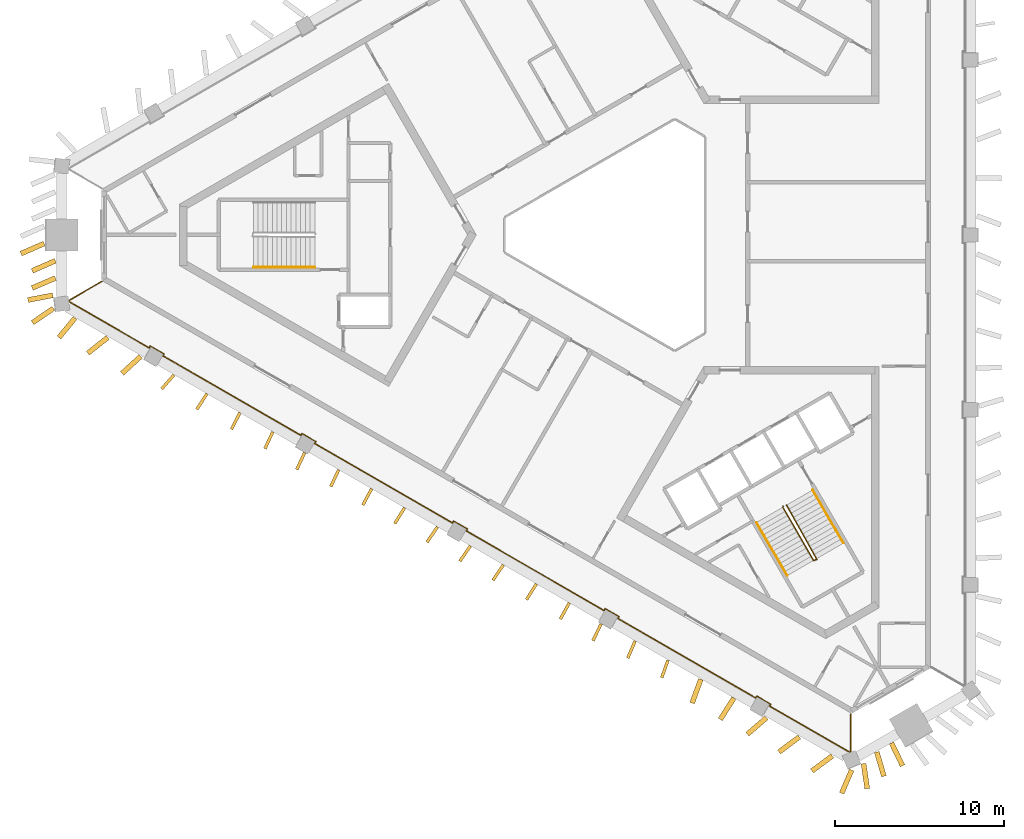
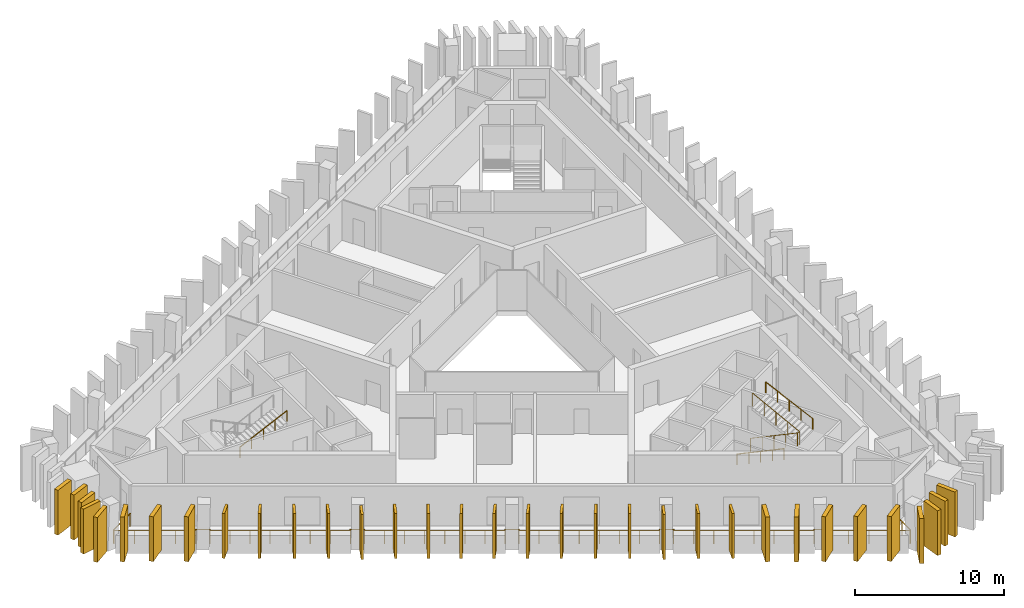
# One storey, part 7 of 9: 33 shading devices, 5 railings.
"""IFC4 building model written with IfcOpenShell, lengths in metres."""

from ifc_helpers import new_model, si_unit, direction, frame, frame_2d, origin, origin_2d, place, context, subcontext, project, spatial, rectangle, circle, extrude, material, layer, layer_set, type_object, element, save


model = new_model("IFC4")

# Units and contexts
model_context = context("Model", 3, precision=1e-05, world=origin(), true_north=direction((0.0, 1.0)))
body_context = subcontext(model_context, "Body", "Model", "MODEL_VIEW")
ifc_project = project(units=[si_unit("LENGTHUNIT", "METRE"), si_unit("AREAUNIT", "SQUARE_METRE"), si_unit("VOLUMEUNIT", "CUBIC_METRE"), si_unit("PLANEANGLEUNIT", "RADIAN"), si_unit("MASSUNIT", "GRAM", prefix="KILO")], contexts=[model_context])

# Site, building, storey
site_placement = place(None, origin())
site = spatial("IfcSite", under=ifc_project, at=site_placement, CompositionType="ELEMENT")
building_placement = place(site_placement, origin())
building = spatial("IfcBuilding", under=site, at=building_placement, Name="Jabali Bay Hotel Tower and Convention Centre", CompositionType="ELEMENT")
storey_placement = place(building_placement, frame((0.0, 0.0, 213.199951171875)))
storey = spatial("IfcBuildingStorey", under=building, at=storey_placement, Name="L52", CompositionType="ELEMENT", Elevation=213.199951171875)

# Railing
ifc_material_1 = material(Name="Glass", Category="glass")
railing_type_1 = type_object("IfcRailingType", Name="Loggia glass guard 1100", PredefinedType="BALUSTRADE", material=ifc_material_1)
railing_1_placement = place(storey_placement, frame((88.2158203125, 51.58349609375, 0.0)))
element("IfcRailing", 1, at=railing_1_placement, inside=storey, type_object=railing_type_1, Name="Loggia glass guard L52", PredefinedType="BALUSTRADE", context=body_context, shape_type="SweptSolid", body=[
    extrude(circle(Radius=0.02490234375, at=origin_2d()), frame((0.0, 0.0, 1.0751953125), z_axis=(0.0, -1.0, 0.0), x_axis=(0.991444861374, 0.0, 0.13052619222)), (0.0, 0.0, 1.0), 2.247314453125),
    extrude(circle(Radius=0.02490234375, at=origin_2d()), frame((0.0, -2.247314453125, 1.0751953125), z_axis=(-0.91970817197, -0.392602697916, 0.0), x_axis=(0.38924392741, -0.911839941063, 0.13052619222)), (0.0, 0.0, 1.0), 0.067138671875),
    extrude(circle(Radius=0.02490234375, at=origin_2d()), frame((-0.061767578125, -2.273681640625, 1.0751953125), z_axis=(-0.866028570666, 0.499994514761, 0.0), x_axis=(-0.495716992375, -0.858619576189, 0.13052619222)), (0.0, 0.0, 1.0), 5.4892578125),
    extrude(circle(Radius=0.02490234375, at=origin_2d()), frame((-4.815673828125, 0.470947265625, 1.0751953125), z_axis=(0.499497219344, 0.8663154898, 0.0), x_axis=(-0.858904040691, 0.495223951389, 0.13052619222)), (0.0, 0.0, 1.0), 0.125244140625),
    extrude(circle(Radius=0.02490234375, at=origin_2d()), frame((-4.753173828125, 0.579345703125, 1.0751953125), z_axis=(-0.866035761792, 0.499982058975, 0.0), x_axis=(-0.49570464315, -0.858626705795, 0.13052619222)), (0.0, 0.0, 1.0), 0.94970703125),
    extrude(circle(Radius=0.02490234375, at=origin_2d()), frame((-5.57568359375, 1.05419921875, 1.0751953125), z_axis=(-0.500342721131, -0.865827443207, 0.0), x_axis=(0.858420169404, -0.496062219791, 0.13052619222)), (0.0, 0.0, 1.0), 0.125),
    extrude(circle(Radius=0.02490234375, at=origin_2d()), frame((-5.63818359375, 0.946044921875, 1.0751953125), z_axis=(-0.866032636008, 0.499987473213, 0.0), x_axis=(-0.495710011068, -0.858623606752, 0.13052619222)), (0.0, 0.0, 1.0), 9.436279296875),
    extrude(circle(Radius=0.02490234375, at=origin_2d()), frame((-13.810302734375, 5.6640625, 1.0751953125), z_axis=(0.499497219344, 0.8663154898, 0.0), x_axis=(-0.858904040691, 0.495223951389, 0.13052619222)), (0.0, 0.0, 1.0), 0.125244140625),
    extrude(circle(Radius=0.02490234375, at=origin_2d()), frame((-13.747802734375, 5.7724609375, 1.0751953125), z_axis=(-0.866100000774, 0.49987077196, 0.0), x_axis=(-0.495594308211, -0.858690395203, 0.13052619222)), (0.0, 0.0, 1.0), 0.949951171875),
    extrude(circle(Radius=0.02490234375, at=origin_2d()), frame((-14.570556640625, 6.247314453125, 1.0751953125), z_axis=(-0.500342721131, -0.865827443207, 0.0), x_axis=(0.858420169404, -0.496062219791, 0.13052619222)), (0.0, 0.0, 1.0), 0.125),
    extrude(circle(Radius=0.02490234375, at=origin_2d()), frame((-14.633056640625, 6.13916015625, 1.0751953125), z_axis=(-0.866032636008, 0.499987473213, 0.0), x_axis=(-0.495710011068, -0.858623606752, 0.13052619222)), (0.0, 0.0, 1.0), 9.436279296875),
    extrude(circle(Radius=0.02490234375, at=origin_2d()), frame((-22.80517578125, 10.857177734375, 1.0751953125), z_axis=(0.499497219344, 0.8663154898, 0.0), x_axis=(-0.858904040691, 0.495223951389, 0.13052619222)), (0.0, 0.0, 1.0), 0.125244140625),
    extrude(circle(Radius=0.02490234375, at=origin_2d()), frame((-22.74267578125, 10.965576171875, 1.0751953125), z_axis=(-0.866100000774, 0.49987077196, 0.0), x_axis=(-0.495594308211, -0.858690395203, 0.13052619222)), (0.0, 0.0, 1.0), 0.949951171875),
    extrude(circle(Radius=0.02490234375, at=origin_2d()), frame((-23.5654296875, 11.4404296875, 1.0751953125), z_axis=(-0.500342721131, -0.865827443207, 0.0), x_axis=(0.858420169404, -0.496062219791, 0.13052619222)), (0.0, 0.0, 1.0), 0.125),
    extrude(circle(Radius=0.02490234375, at=origin_2d()), frame((-23.6279296875, 11.332275390625, 1.0751953125), z_axis=(-0.86602143297, 0.50000687759, 0.0), x_axis=(-0.495729249438, -0.858612499557, 0.13052619222)), (0.0, 0.0, 1.0), 9.436279296875),
    extrude(circle(Radius=0.02490234375, at=origin_2d()), frame((-31.800048828125, 16.050537109375, 1.0751953125), z_axis=(0.500342721131, 0.865827443207, 0.0), x_axis=(-0.858420169404, 0.496062219791, 0.13052619222)), (0.0, 0.0, 1.0), 0.125),
    extrude(circle(Radius=0.02490234375, at=origin_2d()), frame((-31.737548828125, 16.15869140625, 1.0751953125), z_axis=(-0.865924446982, 0.500174821557, 0.0), x_axis=(-0.495895756621, -0.858516343298, 0.13052619222)), (0.0, 0.0, 1.0), 0.949951171875),
    extrude(circle(Radius=0.02490234375, at=origin_2d()), frame((-32.56005859375, 16.6337890625, 1.0751953125), z_axis=(-0.499497219344, -0.8663154898, 0.0), x_axis=(0.858904040691, -0.495223951389, 0.13052619222)), (0.0, 0.0, 1.0), 0.125244140625),
    extrude(circle(Radius=0.02490234375, at=origin_2d()), frame((-32.62255859375, 16.525390625, 1.0751953125), z_axis=(-0.86602143297, 0.50000687759, 0.0), x_axis=(-0.495729249438, -0.858612499557, 0.13052619222)), (0.0, 0.0, 1.0), 9.436279296875),
    extrude(circle(Radius=0.02490234375, at=origin_2d()), frame((-40.794677734375, 21.24365234375, 1.0751953125), z_axis=(0.500342721131, 0.865827443207, 0.0), x_axis=(-0.858420169404, 0.496062219791, 0.13052619222)), (0.0, 0.0, 1.0), 0.125),
    extrude(circle(Radius=0.02490234375, at=origin_2d()), frame((-40.732177734375, 21.351806640625, 1.0751953125), z_axis=(-0.865988727248, 0.500063520245, 0.0), x_axis=(-0.495785407507, -0.858580073638, 0.13052619222)), (0.0, 0.0, 1.0), 0.9501953125),
    extrude(circle(Radius=0.02490234375, at=origin_2d()), frame((-41.554931640625, 21.826904296875, 1.0751953125), z_axis=(-0.499497219344, -0.8663154898, 0.0), x_axis=(0.858904040691, -0.495223951389, 0.13052619222)), (0.0, 0.0, 1.0), 0.125244140625),
    extrude(circle(Radius=0.02490234375, at=origin_2d()), frame((-41.617431640625, 21.718505859375, 1.0751953125), z_axis=(-0.8660093121, 0.50002787058, 0.0), x_axis=(-0.49575006283, -0.858600482383, 0.13052619222)), (0.0, 0.0, 1.0), 5.489501953125),
    extrude(circle(Radius=0.02490234375, at=origin_2d()), frame((-46.371337890625, 24.46337890625, 1.0751953125), z_axis=(-0.120440362597, 0.992720564438, 0.0), x_axis=(-0.984227702392, -0.119409978599, 0.13052619222)), (0.0, 0.0, 1.0), 0.06689453125),
    extrude(circle(Radius=0.02490234375, at=origin_2d()), frame((-46.37939453125, 24.52978515625, 1.0751953125), z_axis=(0.866008297462, 0.50002962785, 0.0), x_axis=(-0.495751805066, 0.858599476426, 0.13052619222)), (0.0, 0.0, 1.0), 2.247314453125),
    extrude(circle(Radius=0.02001953125, at=origin_2d()), origin(), (0.0, 0.0, 1.0), 1.050048828125),
    extrude(circle(Radius=0.02001953125, at=origin_2d()), frame((0.0, -1.12353515625, 0.0)), (0.0, 0.0, 1.0), 1.050048828125),
    extrude(circle(Radius=0.02001953125, at=origin_2d()), frame((0.0, -2.247314453125, 0.0)), (0.0, 0.0, 1.0), 1.050048828125),
    extrude(circle(Radius=0.02001953125, at=origin_2d()), frame((-0.061767578125, -2.273681640625, 0.0)), (0.0, 0.0, 1.0), 1.050048828125),
    extrude(circle(Radius=0.02001953125, at=origin_2d()), frame((-1.250244140625, -1.58740234375, 0.0)), (0.0, 0.0, 1.0), 1.050048828125),
    extrude(circle(Radius=0.02001953125, at=origin_2d()), frame((-2.438720703125, -0.9013671875, 0.0)), (0.0, 0.0, 1.0), 1.050048828125),
    extrude(circle(Radius=0.02001953125, at=origin_2d()), frame((-3.627197265625, -0.21533203125, 0.0)), (0.0, 0.0, 1.0), 1.050048828125),
    extrude(circle(Radius=0.02001953125, at=origin_2d()), frame((-4.815673828125, 0.470947265625, 0.0)), (0.0, 0.0, 1.0), 1.050048828125),
    extrude(circle(Radius=0.02001953125, at=origin_2d()), frame((-4.753173828125, 0.579345703125, 0.0)), (0.0, 0.0, 1.0), 1.050048828125),
    extrude(circle(Radius=0.02001953125, at=origin_2d()), frame((-5.57568359375, 1.05419921875, 0.0)), (0.0, 0.0, 1.0), 1.050048828125),
    extrude(circle(Radius=0.02001953125, at=origin_2d()), frame((-5.63818359375, 0.946044921875, 0.0)), (0.0, 0.0, 1.0), 1.050048828125),
    extrude(circle(Radius=0.02001953125, at=origin_2d()), frame((-6.8056640625, 1.6201171875, 0.0)), (0.0, 0.0, 1.0), 1.050048828125),
    extrude(circle(Radius=0.02001953125, at=origin_2d()), frame((-7.97314453125, 2.2939453125, 0.0)), (0.0, 0.0, 1.0), 1.050048828125),
    extrude(circle(Radius=0.02001953125, at=origin_2d()), frame((-9.140625, 2.968017578125, 0.0)), (0.0, 0.0, 1.0), 1.050048828125),
    extrude(circle(Radius=0.02001953125, at=origin_2d()), frame((-10.307861328125, 3.64208984375, 0.0)), (0.0, 0.0, 1.0), 1.050048828125),
    extrude(circle(Radius=0.02001953125, at=origin_2d()), frame((-11.475341796875, 4.316162109375, 0.0)), (0.0, 0.0, 1.0), 1.050048828125),
    extrude(circle(Radius=0.02001953125, at=origin_2d()), frame((-12.642822265625, 4.989990234375, 0.0)), (0.0, 0.0, 1.0), 1.050048828125),
    extrude(circle(Radius=0.02001953125, at=origin_2d()), frame((-13.810302734375, 5.6640625, 0.0)), (0.0, 0.0, 1.0), 1.050048828125),
    extrude(circle(Radius=0.02001953125, at=origin_2d()), frame((-13.747802734375, 5.7724609375, 0.0)), (0.0, 0.0, 1.0), 1.050048828125),
    extrude(circle(Radius=0.02001953125, at=origin_2d()), frame((-14.570556640625, 6.247314453125, 0.0)), (0.0, 0.0, 1.0), 1.050048828125),
    extrude(circle(Radius=0.02001953125, at=origin_2d()), frame((-14.633056640625, 6.13916015625, 0.0)), (0.0, 0.0, 1.0), 1.050048828125),
    extrude(circle(Radius=0.02001953125, at=origin_2d()), frame((-15.800537109375, 6.813232421875, 0.0)), (0.0, 0.0, 1.0), 1.050048828125),
    extrude(circle(Radius=0.02001953125, at=origin_2d()), frame((-16.968017578125, 7.487060546875, 0.0)), (0.0, 0.0, 1.0), 1.050048828125),
    extrude(circle(Radius=0.02001953125, at=origin_2d()), frame((-18.135498046875, 8.1611328125, 0.0)), (0.0, 0.0, 1.0), 1.050048828125),
    extrude(circle(Radius=0.02001953125, at=origin_2d()), frame((-19.302734375, 8.835205078125, 0.0)), (0.0, 0.0, 1.0), 1.050048828125),
    extrude(circle(Radius=0.02001953125, at=origin_2d()), frame((-20.47021484375, 9.50927734375, 0.0)), (0.0, 0.0, 1.0), 1.050048828125),
    extrude(circle(Radius=0.02001953125, at=origin_2d()), frame((-21.6376953125, 10.18310546875, 0.0)), (0.0, 0.0, 1.0), 1.050048828125),
    extrude(circle(Radius=0.02001953125, at=origin_2d()), frame((-22.80517578125, 10.857177734375, 0.0)), (0.0, 0.0, 1.0), 1.050048828125),
    extrude(circle(Radius=0.02001953125, at=origin_2d()), frame((-22.74267578125, 10.965576171875, 0.0)), (0.0, 0.0, 1.0), 1.050048828125),
    extrude(circle(Radius=0.02001953125, at=origin_2d()), frame((-23.5654296875, 11.4404296875, 0.0)), (0.0, 0.0, 1.0), 1.050048828125),
    extrude(circle(Radius=0.02001953125, at=origin_2d()), frame((-23.6279296875, 11.332275390625, 0.0)), (0.0, 0.0, 1.0), 1.050048828125),
    extrude(circle(Radius=0.02001953125, at=origin_2d()), frame((-24.79541015625, 12.00634765625, 0.0)), (0.0, 0.0, 1.0), 1.050048828125),
    extrude(circle(Radius=0.02001953125, at=origin_2d()), frame((-25.962890625, 12.680419921875, 0.0)), (0.0, 0.0, 1.0), 1.050048828125),
    extrude(circle(Radius=0.02001953125, at=origin_2d()), frame((-27.13037109375, 13.3544921875, 0.0)), (0.0, 0.0, 1.0), 1.050048828125),
    extrude(circle(Radius=0.02001953125, at=origin_2d()), frame((-28.297607421875, 14.0283203125, 0.0)), (0.0, 0.0, 1.0), 1.050048828125),
    extrude(circle(Radius=0.02001953125, at=origin_2d()), frame((-29.465087890625, 14.702392578125, 0.0)), (0.0, 0.0, 1.0), 1.050048828125),
    extrude(circle(Radius=0.02001953125, at=origin_2d()), frame((-30.632568359375, 15.37646484375, 0.0)), (0.0, 0.0, 1.0), 1.050048828125),
    extrude(circle(Radius=0.02001953125, at=origin_2d()), frame((-31.800048828125, 16.050537109375, 0.0)), (0.0, 0.0, 1.0), 1.050048828125),
    extrude(circle(Radius=0.02001953125, at=origin_2d()), frame((-31.737548828125, 16.15869140625, 0.0)), (0.0, 0.0, 1.0), 1.050048828125),
    extrude(circle(Radius=0.02001953125, at=origin_2d()), frame((-32.56005859375, 16.6337890625, 0.0)), (0.0, 0.0, 1.0), 1.050048828125),
    extrude(circle(Radius=0.02001953125, at=origin_2d()), frame((-32.62255859375, 16.525390625, 0.0)), (0.0, 0.0, 1.0), 1.050048828125),
    extrude(circle(Radius=0.02001953125, at=origin_2d()), frame((-33.7900390625, 17.199462890625, 0.0)), (0.0, 0.0, 1.0), 1.050048828125),
    extrude(circle(Radius=0.02001953125, at=origin_2d()), frame((-34.95751953125, 17.87353515625, 0.0)), (0.0, 0.0, 1.0), 1.050048828125),
    extrude(circle(Radius=0.02001953125, at=origin_2d()), frame((-36.125, 18.547607421875, 0.0)), (0.0, 0.0, 1.0), 1.050048828125),
    extrude(circle(Radius=0.02001953125, at=origin_2d()), frame((-37.292236328125, 19.221435546875, 0.0)), (0.0, 0.0, 1.0), 1.050048828125),
    extrude(circle(Radius=0.02001953125, at=origin_2d()), frame((-38.459716796875, 19.8955078125, 0.0)), (0.0, 0.0, 1.0), 1.050048828125),
    extrude(circle(Radius=0.02001953125, at=origin_2d()), frame((-39.627197265625, 20.569580078125, 0.0)), (0.0, 0.0, 1.0), 1.050048828125),
    extrude(circle(Radius=0.02001953125, at=origin_2d()), frame((-40.794677734375, 21.24365234375, 0.0)), (0.0, 0.0, 1.0), 1.050048828125),
    extrude(circle(Radius=0.02001953125, at=origin_2d()), frame((-40.732177734375, 21.351806640625, 0.0)), (0.0, 0.0, 1.0), 1.050048828125),
    extrude(circle(Radius=0.02001953125, at=origin_2d()), frame((-41.554931640625, 21.826904296875, 0.0)), (0.0, 0.0, 1.0), 1.050048828125),
    extrude(circle(Radius=0.02001953125, at=origin_2d()), frame((-41.617431640625, 21.718505859375, 0.0)), (0.0, 0.0, 1.0), 1.050048828125),
    extrude(circle(Radius=0.02001953125, at=origin_2d()), frame((-42.805908203125, 22.40478515625, 0.0)), (0.0, 0.0, 1.0), 1.050048828125),
    extrude(circle(Radius=0.02001953125, at=origin_2d()), frame((-43.994384765625, 23.0908203125, 0.0)), (0.0, 0.0, 1.0), 1.050048828125),
    extrude(circle(Radius=0.02001953125, at=origin_2d()), frame((-45.182861328125, 23.777099609375, 0.0)), (0.0, 0.0, 1.0), 1.050048828125),
    extrude(circle(Radius=0.02001953125, at=origin_2d()), frame((-46.371337890625, 24.46337890625, 0.0)), (0.0, 0.0, 1.0), 1.050048828125),
    extrude(circle(Radius=0.02001953125, at=origin_2d()), frame((-46.37939453125, 24.52978515625, 0.0)), (0.0, 0.0, 1.0), 1.050048828125),
    extrude(circle(Radius=0.02001953125, at=origin_2d()), frame((-45.40625, 25.091796875, 0.0)), (0.0, 0.0, 1.0), 1.050048828125),
    extrude(circle(Radius=0.02001953125, at=origin_2d()), frame((-44.43310546875, 25.653564453125, 0.0)), (0.0, 0.0, 1.0), 1.050048828125),
])

# Shading devices
ifc_material_2 = material(Name="Precast concrete C60", Category="concrete")
ifc_layer_1 = layer(ifc_material_2, 0.179931640625)
ifc_layer_set_1 = layer_set([ifc_layer_1], Name="Precast concrete C60")
shading_device_type_1 = type_object("IfcShadingDeviceType", Name="Precast fin 3680 x 1100", PredefinedType="USERDEFINED", material=ifc_layer_set_1)
for number, where, z_axis, x_axis, name in (
    (2, (48.06494140625, 71.693359375, 0.010009765625), (0.0, 0.0, 1.0), (-0.658488895328, -0.752590442891, 0.0), "Fin L52 067"),
    (3, (50.024658203125, 70.57666015625, 0.010009765625), (0.0, 0.0, 1.0), (-0.544879127916, -0.838514600923, 0.0), "Fin L52 068"),
):
    element("IfcShadingDevice", number, at=place(storey_placement, frame(where, z_axis=z_axis, x_axis=x_axis)), inside=storey, type_object=shading_device_type_1, Name=name, ObjectType="FIN", PredefinedType="USERDEFINED", context=body_context, shape_type="SweptSolid", body=[
        extrude(rectangle(XDim=1.10009765625, YDim=0.179931640625, at=frame_2d((0.550048828125, 0.0))), origin(), (0.0, 0.0, 1.0), 3.679931640625),
    ])
shading_device_1_placement = place(storey_placement, frame((51.978271484375, 69.448974609375, 0.010009765625), z_axis=(0.0, 0.0, 1.0), x_axis=(-0.45677620312, -0.889581643394, 0.0)))
element("IfcShadingDevice", 4, at=shading_device_1_placement, inside=storey, type_object=shading_device_type_1, Name="Fin L52 069", ObjectType="FIN", PredefinedType="USERDEFINED", context=body_context, shape_type="SweptSolid", body=[
    extrude(rectangle(XDim=1.099853515625, YDim=0.179931640625, at=frame_2d((0.5498046875, 0.0))), origin(), (0.0, 0.0, 1.0), 3.679931640625),
])
for number, where, z_axis, x_axis, name in (
    (5, (53.93017578125, 68.318359375, 0.010009765625), (0.0, 0.0, 1.0), (-0.423444262128, -0.905922158284, 0.0), "Fin L52 070"),
    (6, (55.8173828125, 67.075927734375, 0.010009765625), (0.0, 0.0, 1.0), (-0.425690147756, -0.904868994995, 0.0), "Fin L52 071"),
    (7, (57.83740234375, 66.06298828125, 0.010009765625), (0.0, 0.0, 1.0), (-0.427847848901, -0.903850772081, 0.0), "Fin L52 072"),
    (8, (59.793212890625, 64.939453125, 0.010009765625), (0.0, 0.0, 1.0), (-0.477841058477, -0.878446311868, 0.0), "Fin L52 073"),
    (9, (61.746337890625, 63.81103515625, 0.010009765625), (0.0, 0.0, 1.0), (-0.529559967208, -0.848272504052, 0.0), "Fin L52 074"),
):
    element("IfcShadingDevice", number, at=place(storey_placement, frame(where, z_axis=z_axis, x_axis=x_axis)), inside=storey, type_object=shading_device_type_1, Name=name, ObjectType="FIN", PredefinedType="USERDEFINED", context=body_context, shape_type="SweptSolid", body=[
        extrude(rectangle(XDim=1.10009765625, YDim=0.179931640625, at=frame_2d((0.550048828125, 0.0))), origin(), (0.0, 0.0, 1.0), 3.679931640625),
    ])
for number, where, z_axis, x_axis, name in (
    (10, (63.69775390625, 62.6796875, 0.010009765625), (0.0, 0.0, 1.0), (-0.565869129237, -0.824495074926, 0.0), "Fin L52 075"),
    (11, (65.651123046875, 61.551513671875, 0.010009765625), (0.0, 0.0, 1.0), (-0.569567735993, -0.821944398434, 0.0), "Fin L52 076"),
    (12, (67.60498046875, 60.42431640625, 0.010009765625), (0.0, 0.0, 1.0), (-0.563123294384, -0.826372891207, 0.0), "Fin L52 077"),
):
    element("IfcShadingDevice", number, at=place(storey_placement, frame(where, z_axis=z_axis, x_axis=x_axis)), inside=storey, type_object=shading_device_type_1, Name=name, ObjectType="FIN", PredefinedType="USERDEFINED", context=body_context, shape_type="SweptSolid", body=[
        extrude(rectangle(XDim=1.099853515625, YDim=0.179931640625, at=frame_2d((0.5498046875, 0.0))), origin(), (0.0, 0.0, 1.0), 3.679931640625),
    ])
for number, where, z_axis, x_axis, name in (
    (13, (69.560302734375, 59.2998046875, 0.010009765625), (0.0, 0.0, 1.0), (-0.528202332955, -0.849118540288, 0.0), "Fin L52 078"),
    (14, (71.514404296875, 58.1728515625, 0.010009765625), (0.0, 0.0, 1.0), (-0.482285064919, -0.876014335588, 0.0), "Fin L52 079"),
    (15, (73.399169921875, 56.92626953125, 0.010009765625), (0.0, 0.0, 1.0), (-0.434295970268, -0.90077023164, 0.0), "Fin L52 080"),
):
    element("IfcShadingDevice", number, at=place(storey_placement, frame(where, z_axis=z_axis, x_axis=x_axis)), inside=storey, type_object=shading_device_type_1, Name=name, ObjectType="FIN", PredefinedType="USERDEFINED", context=body_context, shape_type="SweptSolid", body=[
        extrude(rectangle(XDim=1.10009765625, YDim=0.179931640625, at=frame_2d((0.550048828125, 0.0))), origin(), (0.0, 0.0, 1.0), 3.679931640625),
    ])
shading_device_2_placement = place(storey_placement, frame((75.4169921875, 55.90966796875, 0.010009765625), z_axis=(0.0, 0.0, 1.0), x_axis=(-0.394883500359, -0.918731201791, 0.0)))
element("IfcShadingDevice", 16, at=shading_device_2_placement, inside=storey, type_object=shading_device_type_1, Name="Fin L52 081", ObjectType="FIN", PredefinedType="USERDEFINED", context=body_context, shape_type="SweptSolid", body=[
    extrude(rectangle(XDim=1.099853515625, YDim=0.179931640625, at=frame_2d((0.5498046875, 0.0))), origin(), (0.0, 0.0, 1.0), 3.679931640625),
])
shading_device_3_placement = place(storey_placement, frame((77.367431640625, 54.776611328125, 0.010009765625), z_axis=(0.0, 0.0, 1.0), x_axis=(-0.33222801332, -0.943199102611, 0.0)))
element("IfcShadingDevice", 17, at=shading_device_3_placement, inside=storey, type_object=shading_device_type_1, Name="Fin L52 082", ObjectType="FIN", PredefinedType="USERDEFINED", context=body_context, shape_type="SweptSolid", body=[
    extrude(rectangle(XDim=1.10009765625, YDim=0.179931640625, at=frame_2d((0.550048828125, 0.0))), origin(), (0.0, 0.0, 1.0), 3.679931640625),
])
ifc_layer_2 = layer(ifc_material_2, 0.300048828125)
ifc_layer_set_2 = layer_set([ifc_layer_2], Name="Precast concrete C60")
shading_device_type_2 = type_object("IfcShadingDeviceType", Name="Precast fin 3680 x 1500", PredefinedType="USERDEFINED", material=ifc_layer_set_2)
for number, where, z_axis, x_axis, name in (
    (18, (40.373779296875, 79.48876953125, 0.010009765625), (0.0, 0.0, 1.0), (-0.917707948725, -0.397255737336, 0.0), "Fin L52 060"),
    (19, (41.036376953125, 78.466064453125, 0.010009765625), (0.0, 0.0, 1.0), (-0.917707948725, -0.397255737336, 0.0), "Fin L52 061"),
):
    element("IfcShadingDevice", number, at=place(storey_placement, frame(where, z_axis=z_axis, x_axis=x_axis)), inside=storey, type_object=shading_device_type_2, Name=name, ObjectType="FIN", PredefinedType="USERDEFINED", context=body_context, shape_type="SweptSolid", body=[
        extrude(rectangle(XDim=1.500244140625, YDim=0.300048828125, at=frame_2d((0.75, 0.0))), origin(), (0.0, 0.0, 1.0), 3.679931640625),
    ])
for number, where, z_axis, x_axis, name in (
    (20, (41.036865234375, 77.443359375, 0.010009765625), (0.0, 0.0, 1.0), (-0.919035560835, -0.394174628713, 0.0), "Fin L52 062"),
    (21, (40.88232421875, 76.420654296875, 0.010009765625), (0.0, 0.0, 1.0), (-0.982018053359, -0.188787030477, 0.0), "Fin L52 063"),
    (22, (42.200927734375, 75.07080078125, 0.010009765625), (0.0, 0.0, 1.0), (-0.634805372277, -0.772672077487, 0.0), "Fin L52 064"),
    (23, (44.138916015625, 73.916259765625, 0.010009765625), (0.0, 0.0, 1.0), (-0.784365865748, -0.620298467393, 0.0), "Fin L52 065"),
):
    element("IfcShadingDevice", number, at=place(storey_placement, frame(where, z_axis=z_axis, x_axis=x_axis)), inside=storey, type_object=shading_device_type_2, Name=name, ObjectType="FIN", PredefinedType="USERDEFINED", context=body_context, shape_type="SweptSolid", body=[
        extrude(rectangle(XDim=1.5, YDim=0.300048828125, at=frame_2d((0.75, 0.0))), origin(), (0.0, 0.0, 1.0), 3.679931640625),
    ])
shading_device_4_placement = place(storey_placement, frame((46.097412109375, 72.797119140625, 0.010009765625), z_axis=(0.0, 0.0, 1.0), x_axis=(-0.73805892145, -0.674736265861, 0.0)))
element("IfcShadingDevice", 24, at=shading_device_4_placement, inside=storey, type_object=shading_device_type_2, Name="Fin L52 066", ObjectType="FIN", PredefinedType="USERDEFINED", context=body_context, shape_type="SweptSolid", body=[
    extrude(rectangle(XDim=1.499755859375, YDim=0.300048828125, at=frame_2d((0.75, 0.0))), origin(), (0.0, 0.0, 1.0), 3.679931640625),
])
for number, where, z_axis, x_axis, name in (
    (25, (79.316162109375, 53.640869140625, 0.010009765625), (0.0, 0.0, 1.0), (-0.343728565857, -0.939069045925, 0.0), "Fin L52 083"),
    (26, (81.279296875, 52.52978515625, 0.010009765625), (0.0, 0.0, 1.0), (-0.536654297375, -0.843802207338, 0.0), "Fin L52 084"),
    (27, (83.21142578125, 51.364990234375, 0.010009765625), (0.0, 0.0, 1.0), (-0.755834056638, -0.654763223483, 0.0), "Fin L52 085"),
    (28, (85.159912109375, 50.228271484375, 0.010009765625), (0.0, 0.0, 1.0), (-0.801754371751, -0.597653685154, 0.0), "Fin L52 086"),
):
    element("IfcShadingDevice", number, at=place(storey_placement, frame(where, z_axis=z_axis, x_axis=x_axis)), inside=storey, type_object=shading_device_type_2, Name=name, ObjectType="FIN", PredefinedType="USERDEFINED", context=body_context, shape_type="SweptSolid", body=[
        extrude(rectangle(XDim=1.5, YDim=0.300048828125, at=frame_2d((0.75, 0.0))), origin(), (0.0, 0.0, 1.0), 3.679931640625),
    ])
shading_device_5_placement = place(storey_placement, frame((87.11328125, 49.100341796875, 0.010009765625), z_axis=(0.0, 0.0, 1.0), x_axis=(-0.802648126623, -0.596452835376, 0.0)))
element("IfcShadingDevice", 29, at=shading_device_5_placement, inside=storey, type_object=shading_device_type_2, Name="Fin L52 087", ObjectType="FIN", PredefinedType="USERDEFINED", context=body_context, shape_type="SweptSolid", body=[
    extrude(rectangle(XDim=1.500244140625, YDim=0.300048828125, at=frame_2d((0.75, 0.0))), origin(), (0.0, 0.0, 1.0), 3.679931640625),
])
shading_device_6_placement = place(storey_placement, frame((88.97119140625, 48.642333984375, 0.010009765625), z_axis=(0.0, 0.0, 1.0), x_axis=(0.145339365481, -0.989381861993, 0.0)))
element("IfcShadingDevice", 30, at=shading_device_6_placement, inside=storey, type_object=shading_device_type_2, Name="Fin L52 088", ObjectType="FIN", PredefinedType="USERDEFINED", context=body_context, shape_type="SweptSolid", body=[
    extrude(rectangle(XDim=1.5, YDim=0.300048828125, at=frame_2d((0.75, 0.0))), origin(), (0.0, 0.0, 1.0), 3.679931640625),
])
for number, where, z_axis, x_axis, name in (
    (31, (89.755615234375, 49.3291015625, 0.010009765625), (0.0, 0.0, 1.0), (0.281443591462, -0.959577774245, 0.0), "Fin L52 089"),
    (32, (90.62890625, 49.86181640625, 0.010009765625), (0.0, 0.0, 1.0), (0.436569023838, -0.899670766128, 0.0), "Fin L52 090"),
):
    element("IfcShadingDevice", number, at=place(storey_placement, frame(where, z_axis=z_axis, x_axis=x_axis)), inside=storey, type_object=shading_device_type_2, Name=name, ObjectType="FIN", PredefinedType="USERDEFINED", context=body_context, shape_type="SweptSolid", body=[
        extrude(rectangle(XDim=1.499755859375, YDim=0.300048828125, at=frame_2d((0.75, 0.0))), origin(), (0.0, 0.0, 1.0), 3.679931640625),
    ])
for number, where, z_axis, x_axis, name in (
    (33, (40.917724609375, 75.640869140625, 0.010009765625), (0.0, 0.0, 1.0), (-0.825227405161, -0.564800610633, 0.0), "Fin L52 100"),
    (34, (88.265869140625, 48.261474609375, 0.010009765625), (0.0, 0.0, 1.0), (-0.396981563758, -0.917826583858, 0.0), "Fin L52 101"),
):
    element("IfcShadingDevice", number, at=place(storey_placement, frame(where, z_axis=z_axis, x_axis=x_axis)), inside=storey, type_object=shading_device_type_2, Name=name, ObjectType="FIN", PredefinedType="USERDEFINED", context=body_context, shape_type="SweptSolid", body=[
        extrude(rectangle(XDim=1.5, YDim=0.300048828125, at=frame_2d((0.75, 0.0))), origin(), (0.0, 0.0, 1.0), 3.679931640625),
    ])

# Railings
ifc_material_3 = material(Name="Steel Q355B", Category="steel")
railing_type_2 = type_object("IfcRailingType", Name="Stair guard 1100", PredefinedType="GUARDRAIL", material=ifc_material_3)
railing_2_placement = place(storey_placement, frame((84.199951171875, 63.9150390625, 0.0)))
element("IfcRailing", 35, at=railing_2_placement, inside=storey, type_object=railing_type_2, Name="L52 ST3 stair guard 1", PredefinedType="GUARDRAIL", context=body_context, shape_type="SweptSolid", body=[
    extrude(circle(Radius=0.02392578125, at=origin_2d()), frame((0.0, 0.0, 1.076171875), z_axis=(-0.122196845461, -0.456201556387, 0.881446578591), x_axis=(0.965948051503, -0.258736085224, 0.0)), (0.0, 0.0, 1.0), 0.14990234375),
    extrude(circle(Radius=0.02392578125, at=origin_2d()), frame((-0.018310546875, -0.068359375, 1.2080078125), z_axis=(0.45217862506, -0.783169739339, 0.426825081763), x_axis=(0.866018046521, 0.500012742938, 0.0)), (0.0, 0.0, 1.0), 4.025146484375),
    extrude(circle(Radius=0.02392578125, at=origin_2d()), frame((1.8017578125, -3.220703125, 2.92626953125), z_axis=(0.96121063429, 0.275815366736, 0.0), x_axis=(-0.275815366736, 0.96121063429, 0.0)), (0.0, 0.0, 1.0), 0.206298828125),
    extrude(circle(Radius=0.02392578125, at=origin_2d()), frame((2.0, -3.163818359375, 2.92626953125), z_axis=(-0.436481798955, 0.780166857725, 0.448133142368), x_axis=(-0.872702246529, -0.488252792008, 0.0)), (0.0, 0.0, 1.0), 4.1279296875),
    extrude(circle(Radius=0.02099609375, at=origin_2d()), origin(), (0.0, 0.0, 1.0), 1.052001953125),
    extrude(circle(Radius=0.02099609375, at=origin_2d()), frame((-0.018310546875, -0.068359375, 0.132080078125)), (0.0, 0.0, 1.0), 1.052001953125),
    extrude(circle(Radius=0.02099609375, at=origin_2d()), frame((0.436767578125, -0.8564453125, 0.5615234375)), (0.0, 0.0, 1.0), 1.052001953125),
    extrude(circle(Radius=0.02099609375, at=origin_2d()), frame((0.8916015625, -1.64453125, 0.9912109375)), (0.0, 0.0, 1.0), 1.052001953125),
    extrude(circle(Radius=0.02099609375, at=origin_2d()), frame((1.3466796875, -2.4326171875, 1.420654296875)), (0.0, 0.0, 1.0), 1.052001953125),
    extrude(circle(Radius=0.02099609375, at=origin_2d()), frame((1.8017578125, -3.220703125, 1.85009765625)), (0.0, 0.0, 1.0), 1.052001953125),
    extrude(circle(Radius=0.02099609375, at=origin_2d()), frame((2.0, -3.163818359375, 1.85009765625)), (0.0, 0.0, 1.0), 1.052001953125),
    extrude(circle(Radius=0.02099609375, at=origin_2d()), frame((1.549560546875, -2.358642578125, 2.3125)), (0.0, 0.0, 1.0), 1.052001953125),
    extrude(circle(Radius=0.02099609375, at=origin_2d()), frame((1.09912109375, -1.5537109375, 2.77490234375)), (0.0, 0.0, 1.0), 1.052001953125),
    extrude(circle(Radius=0.02099609375, at=origin_2d()), frame((0.648681640625, -0.74853515625, 3.237548828125)), (0.0, 0.0, 1.0), 1.052001953125),
    extrude(circle(Radius=0.02099609375, at=origin_2d()), frame((0.1982421875, 0.056640625, 3.699951171875)), (0.0, 0.0, 1.0), 1.052001953125),
])
railing_type_3 = type_object("IfcRailingType", Name="Stair handrail 900", PredefinedType="HANDRAIL", material=ifc_material_3)
railing_3_placement = place(storey_placement, frame((52.780029296875, 78.074951171875, 1.982177734375)))
element("IfcRailing", 36, at=railing_3_placement, inside=storey, type_object=railing_type_3, Name="L52 ST1 stair handrail 2", PredefinedType="HANDRAIL", context=body_context, shape_type="SweptSolid", body=[
    extrude(circle(Radius=0.02392578125, at=origin_2d()), frame((0.0, 0.0, 0.8759765625), z_axis=(0.904350763662, 0.0, 0.426789990819), x_axis=(0.0, 1.0, 0.0)), (0.0, 0.0, 1.0), 4.02490234375),
    extrude(circle(Radius=0.02099609375, at=origin_2d()), origin(), (0.0, 0.0, 1.0), 0.851806640625),
    extrude(circle(Radius=0.02099609375, at=origin_2d()), frame((0.909912109375, 0.0, 0.429443359375)), (0.0, 0.0, 1.0), 0.851806640625),
    extrude(circle(Radius=0.02099609375, at=origin_2d()), frame((1.81982421875, 0.0, 0.85888671875)), (0.0, 0.0, 1.0), 0.851806640625),
    extrude(circle(Radius=0.02099609375, at=origin_2d()), frame((2.72998046875, 0.0, 1.288330078125)), (0.0, 0.0, 1.0), 0.851806640625),
    extrude(circle(Radius=0.02099609375, at=origin_2d()), frame((3.639892578125, 0.0, 1.7177734375)), (0.0, 0.0, 1.0), 0.851806640625),
])
railing_4_placement = place(storey_placement, frame((82.622802734375, 62.94677734375, 0.132080078125)))
element("IfcRailing", 37, at=railing_4_placement, inside=storey, type_object=railing_type_3, Name="L52 ST3 stair handrail 1", PredefinedType="HANDRAIL", context=body_context, shape_type="SweptSolid", body=[
    extrude(circle(Radius=0.02392578125, at=origin_2d()), frame((0.0, 0.0, 0.8759765625), z_axis=(0.45217862506, -0.783169739339, 0.426825081763), x_axis=(0.866018046521, 0.500012742938, 0.0)), (0.0, 0.0, 1.0), 4.025146484375),
    extrude(circle(Radius=0.02099609375, at=origin_2d()), origin(), (0.0, 0.0, 1.0), 0.851806640625),
    extrude(circle(Radius=0.02099609375, at=origin_2d()), frame((0.455078125, -0.7880859375, 0.429443359375)), (0.0, 0.0, 1.0), 0.851806640625),
    extrude(circle(Radius=0.02099609375, at=origin_2d()), frame((0.91015625, -1.576171875, 0.85888671875)), (0.0, 0.0, 1.0), 0.851806640625),
    extrude(circle(Radius=0.02099609375, at=origin_2d()), frame((1.364990234375, -2.3642578125, 1.28857421875)), (0.0, 0.0, 1.0), 0.851806640625),
    extrude(circle(Radius=0.02099609375, at=origin_2d()), frame((1.820068359375, -3.15234375, 1.718017578125)), (0.0, 0.0, 1.0), 0.851806640625),
])
railing_5_placement = place(storey_placement, frame((87.777099609375, 61.719482421875, 1.982177734375)))
element("IfcRailing", 38, at=railing_5_placement, inside=storey, type_object=railing_type_3, Name="L52 ST3 stair handrail 2", PredefinedType="HANDRAIL", context=body_context, shape_type="SweptSolid", body=[
    extrude(circle(Radius=0.02392578125, at=origin_2d()), frame((0.0, 0.0, 0.8759765625), z_axis=(-0.452190331055, 0.783190014029, 0.426775475427), x_axis=(-0.866018046521, -0.500012742938, 0.0)), (0.0, 0.0, 1.0), 4.02490234375),
    extrude(circle(Radius=0.02099609375, at=origin_2d()), origin(), (0.0, 0.0, 1.0), 0.851806640625),
    extrude(circle(Radius=0.02099609375, at=origin_2d()), frame((-0.455078125, 0.7880859375, 0.429443359375)), (0.0, 0.0, 1.0), 0.851806640625),
    extrude(circle(Radius=0.02099609375, at=origin_2d()), frame((-0.91015625, 1.576171875, 0.85888671875)), (0.0, 0.0, 1.0), 0.851806640625),
    extrude(circle(Radius=0.02099609375, at=origin_2d()), frame((-1.364990234375, 2.3642578125, 1.288330078125)), (0.0, 0.0, 1.0), 0.851806640625),
    extrude(circle(Radius=0.02099609375, at=origin_2d()), frame((-1.820068359375, 3.15234375, 1.7177734375)), (0.0, 0.0, 1.0), 0.851806640625),
])

save(model, "model.ifc")
